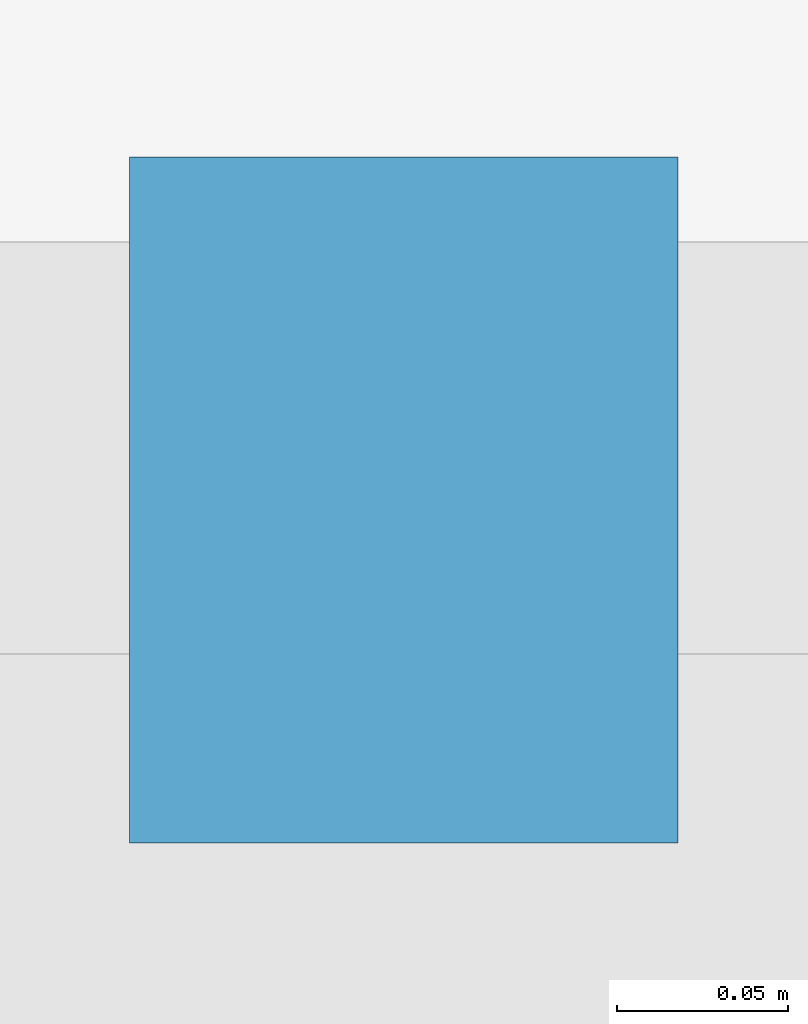
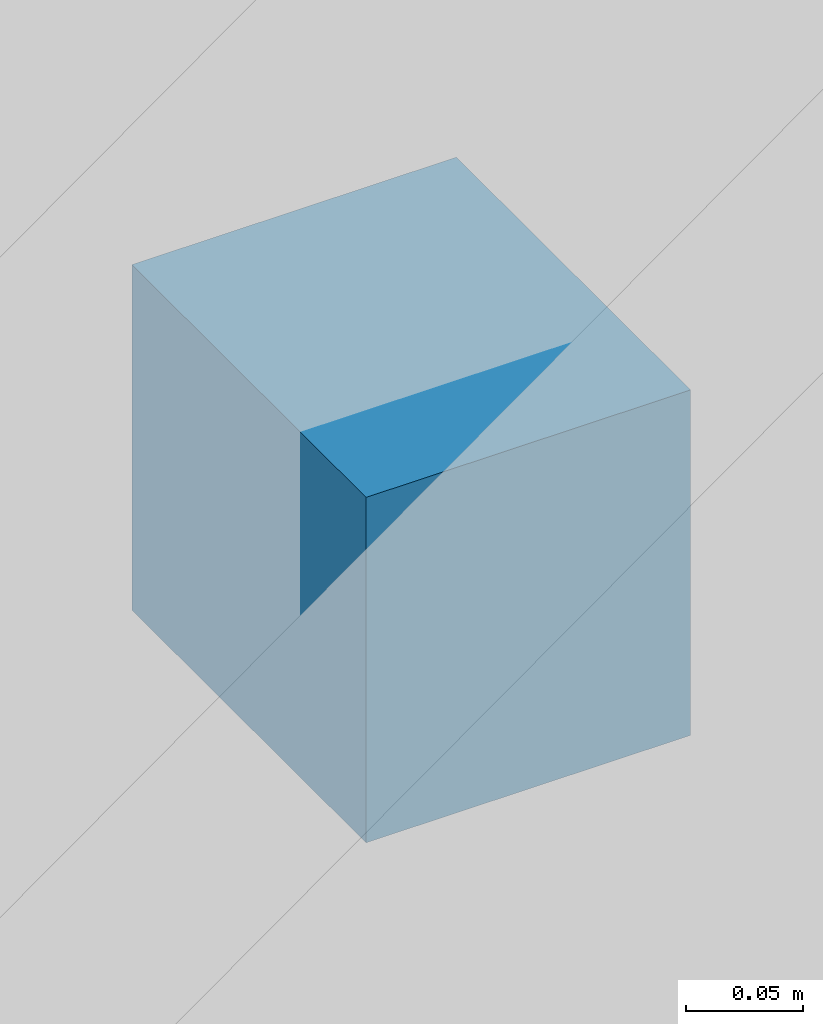
# One storey, part 19 of 23: 1 discrete accessory.
"""IFC4 building model written with IfcOpenShell, lengths in metres."""

from ifc_helpers import new_model, si_unit, direction, frame, origin, origin_2d, place, context, subcontext, project, spatial, rectangle, extrude, material, type_object, element, save


model = new_model("IFC4")

# Units and contexts
model_context = context("Model", 3, precision=1e-05, world=origin(), true_north=direction((0.0, 1.0)))
body_context = subcontext(model_context, "Body", "Model", "MODEL_VIEW")
ifc_project = project(units=[si_unit("LENGTHUNIT", "METRE"), si_unit("AREAUNIT", "SQUARE_METRE"), si_unit("VOLUMEUNIT", "CUBIC_METRE"), si_unit("PLANEANGLEUNIT", "RADIAN"), si_unit("MASSUNIT", "GRAM", prefix="KILO")], contexts=[model_context])

# Site, building, storey
site_placement = place(None, origin())
site = spatial("IfcSite", under=ifc_project, at=site_placement, CompositionType="ELEMENT")
building_placement = place(site_placement, origin())
building = spatial("IfcBuilding", under=site, at=building_placement, Name="Koriwani Terraces Tower", CompositionType="ELEMENT")
storey_placement = place(building_placement, frame((0.0, 0.0, 32.0)))
storey = spatial("IfcBuildingStorey", under=building, at=storey_placement, Name="L06", CompositionType="ELEMENT", Elevation=32.0)

# Discrete accessory
ifc_material = material(Name="Steel ASTM A572 Grade 50", Category="steel")
discrete_accessory_type = type_object("IfcDiscreteAccessoryType", Name="BAGUETTE_STANDOFF_BRACKET", PredefinedType="BRACKET", material=ifc_material)
discrete_accessory_placement = place(storey_placement, frame((79.800048828125, 0.389892578125, 1.68505859375), z_axis=(0.0, 0.0, 1.0), x_axis=(-1.0, 0.0, 0.0)))
element("IfcDiscreteAccessory", 1, at=discrete_accessory_placement, inside=storey, type_object=discrete_accessory_type, Name="L06 Terracotta Baguette Bracket (S-27)", PredefinedType="BRACKET", context=body_context, shape_type="SweptSolid", body=[
    extrude(rectangle(XDim=0.159912109375, YDim=0.199951171875, at=origin_2d()), origin(), (0.0, 0.0, 1.0), 0.179931640625),
])

save(model, "model.ifc")
